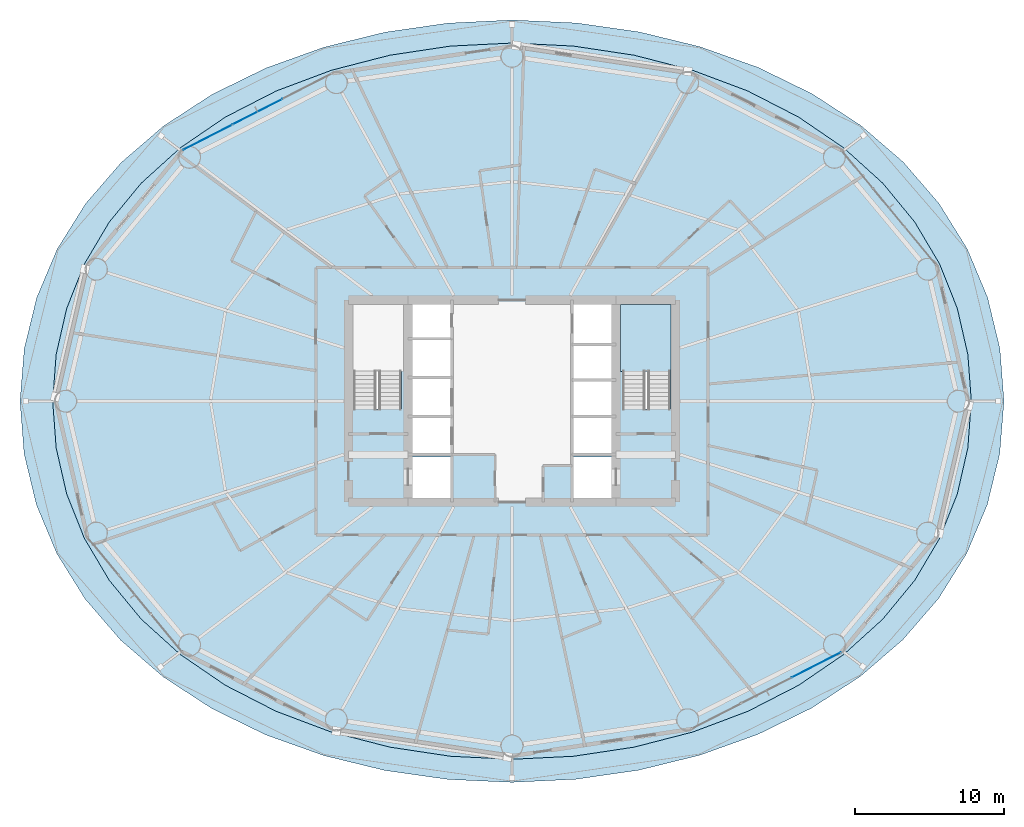
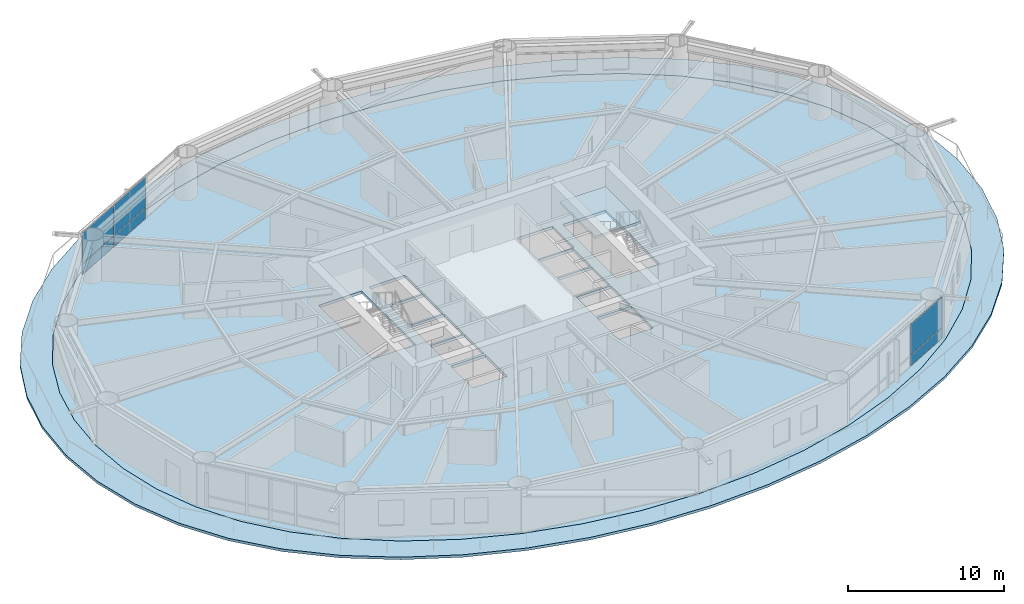
# One storey, part 17 of 26: 6 plates, 3 slabs, 3 elements without a shape of their own.
"""IFC4 building model written with IfcOpenShell, lengths in metres."""

import ifcopenshell
import ifcopenshell.guid

model = None  # the IFC model being written
_history = None  # IfcOwnerHistory: only IFC2X3 demands one
_inside = {}  # id of a spatial element -> (the spatial element, [elements in it])
_under = {}  # id of a project, library or spatial element -> (it, [spatial elements below it])
_declared = {}  # id of a project -> (the project, [libraries it declares])
_typed = {}  # id of a type object -> (the type object, [elements of that type])
_made_of = {}  # id of a material, layer set ... -> (it, [elements and type objects made of it])


def new_model(schema):
    """Start an empty IFC model of exactly this schema.

    Asked for "IFC4X3", IfcOpenShell would pick the latest addendum, in which some entities
    have other attributes; the version numbers below select the first issue.
    IFC2X3 requires an IfcOwnerHistory on every rooted entity: one is made here for all.
    """
    global model, _history
    if schema == "IFC4X3":
        model = ifcopenshell.file(schema_version=(4, 3, 0, 0))
    else:
        model = ifcopenshell.file(schema=schema)
    _inside.clear()
    _under.clear()
    _declared.clear()
    _typed.clear()
    _made_of.clear()
    _history = None
    if model.schema == "IFC2X3":
        org = make("IfcOrganization", Name="unknown")
        user = make(
            "IfcPersonAndOrganization",
            ThePerson=make("IfcPerson", FamilyName="unknown"),
            TheOrganization=org,
        )
        app = make(
            "IfcApplication",
            ApplicationDeveloper=org,
            Version="unknown",
            ApplicationFullName="unknown",
            ApplicationIdentifier="unknown",
        )
        _history = make(
            "IfcOwnerHistory",
            OwningUser=user,
            OwningApplication=app,
            ChangeAction="ADDED",
            CreationDate=0,
        )
    return model


def make(cls, **values):
    """One entity of the class cls with the attributes given. An attribute that is None is left unset."""
    return model.create_entity(
        cls, **{name: value for name, value in values.items() if value is not None}
    )


def rooted(cls, **values):
    """An entity with a GlobalId (a new one), such as an element, a storey or a relation."""
    return make(cls, GlobalId=ifcopenshell.guid.new(), OwnerHistory=_history, **values)


def si_unit(unit_type, name, prefix=None):
    """IfcSIUnit, for example si_unit("LENGTHUNIT", "METRE", prefix="MILLI")."""
    return make("IfcSIUnit", UnitType=unit_type, Prefix=prefix, Name=name)


def assignment(units):
    """IfcUnitAssignment: the units of a project."""
    return None if units is None else make("IfcUnitAssignment", Units=units)


def point(xyz):
    """IfcCartesianPoint."""
    return None if xyz is None else make("IfcCartesianPoint", Coordinates=xyz)


def direction(xyz):
    """IfcDirection."""
    return None if xyz is None else make("IfcDirection", DirectionRatios=xyz)


def frame(location, z_axis=None, x_axis=None):
    """IfcAxis2Placement3D, a coordinate frame: its origin and axes. An axis left out is left unset."""
    return make(
        "IfcAxis2Placement3D",
        Location=point(location),
        Axis=direction(z_axis),
        RefDirection=direction(x_axis),
    )


def frame_2d(location, x_axis=None):
    """IfcAxis2Placement2D, a coordinate frame in the plane: its origin and x axis."""
    return make(
        "IfcAxis2Placement2D", Location=point(location), RefDirection=direction(x_axis)
    )


def origin():
    """The frame at (0, 0, 0) with its axes left unset."""
    return frame((0.0, 0.0, 0.0))


def origin_2d():
    """The frame at (0, 0) in the plane with its x axis left unset."""
    return frame_2d((0.0, 0.0))


def place(relative_to, where):
    """IfcLocalPlacement: puts the frame where relative to a parent placement (None: the world)."""
    return make(
        "IfcLocalPlacement", PlacementRelTo=relative_to, RelativePlacement=where
    )


def context(
    kind, dimensions, precision=None, world=None, true_north=None, identifier=None
):
    """IfcGeometricRepresentationContext, for example the 3D "Model" context."""
    return make(
        "IfcGeometricRepresentationContext",
        ContextIdentifier=identifier,
        ContextType=kind,
        CoordinateSpaceDimension=dimensions,
        Precision=precision,
        WorldCoordinateSystem=world,
        TrueNorth=true_north,
    )


def subcontext(parent, identifier, kind, view, scale=None):
    """IfcGeometricRepresentationSubContext, for example "Body" below "Model"."""
    return make(
        "IfcGeometricRepresentationSubContext",
        ContextIdentifier=identifier,
        ContextType=kind,
        ParentContext=parent,
        TargetScale=scale,
        TargetView=view,
    )


def project(units=None, contexts=None):
    """IfcProject with its units and contexts."""
    return rooted(
        "IfcProject",
        Name="project",
        RepresentationContexts=contexts,
        UnitsInContext=assignment(units),
    )


def spatial(cls, under=None, at=None, **own):
    """A site, building, storey or space (cls), placed at a placement, below another one or the project."""
    s = rooted(cls, ObjectPlacement=at, **own)
    if under is not None:
        _under.setdefault(under.id(), (under, []))[1].append(s)
    return s


def polyline(points):
    """IfcPolyline through the points."""
    return make("IfcPolyline", Points=[point(p) for p in points])


def profile(cls, at=None, kind="AREA", **sizes):
    """A parametric profile (cls). Its sizes go by their IFC names, for example OverallWidth=200.0."""
    return make(cls, ProfileType=kind, Position=at, **sizes)


def rectangle(**sizes):
    """IfcRectangleProfileDef."""
    return profile("IfcRectangleProfileDef", **sizes)


def outline(outer, holes=None, kind="AREA"):
    """IfcArbitraryClosedProfileDef: a profile drawn as a closed curve; with holes, ...WithVoids."""
    if holes is None:
        return make("IfcArbitraryClosedProfileDef", ProfileType=kind, OuterCurve=outer)
    return make(
        "IfcArbitraryProfileDefWithVoids",
        ProfileType=kind,
        OuterCurve=outer,
        InnerCurves=holes,
    )


def extrude(swept, where, along, depth):
    """IfcExtrudedAreaSolid: the profile swept, set in the frame where, extruded along a direction by depth."""
    return make(
        "IfcExtrudedAreaSolid",
        SweptArea=swept,
        Position=where,
        ExtrudedDirection=direction(along),
        Depth=depth,
    )


def shape(context_of_items, identifier, shape_type, items):
    """IfcShapeRepresentation: the items that make up one representation, for example the "Body"."""
    return make(
        "IfcShapeRepresentation",
        ContextOfItems=context_of_items,
        RepresentationIdentifier=identifier,
        RepresentationType=shape_type,
        Items=items,
    )


def material(Name=None, Category=None):
    """IfcMaterial."""
    return make("IfcMaterial", Name=Name, Category=Category)


def layer(
    of_material, thickness, ventilated=None, Name=None, Category=None, Priority=None
):
    """IfcMaterialLayer: one layer of a wall or slab, of a material (None: an air gap)."""
    return make(
        "IfcMaterialLayer",
        Material=of_material,
        LayerThickness=thickness,
        IsVentilated=ventilated,
        Name=Name,
        Category=Category,
        Priority=Priority,
    )


def layer_set(layers, Name=None):
    """IfcMaterialLayerSet."""
    return make("IfcMaterialLayerSet", MaterialLayers=layers, LayerSetName=Name)


def made_of(thing, what):
    """Note that an element or type object is made of a material, layer set ...; save() writes the relation."""
    if what is not None:
        _made_of.setdefault(what.id(), (what, []))[1].append(thing)
    return thing


def type_object(cls, material=None, **own):
    """A type object (cls), such as IfcWallType, which elements share."""
    return made_of(rooted(cls, **own), material)


def element(
    cls,
    number,
    at=None,
    inside=None,
    cuts=None,
    type_object=None,
    material=None,
    context=None,
    identifier="Body",
    shape_type=None,
    held_by="IfcProductDefinitionShape",
    body=None,
    shapes=None,
    **own,
):
    """One element of the class cls, such as IfcWall. Its Tag is "e" and its number.

    at: its placement. inside: the storey or other place that contains it. cuts: it is an
    opening in that element (IfcRelVoidsElement). A single representation is given by context,
    identifier, shape_type and body (its items); several are given by shapes. held_by: the class
    of the entity that holds the representations. save() writes the other relations.
    """
    e = rooted(cls, Tag="e%d" % number, ObjectPlacement=at, **own)
    if body is not None:
        shapes = [shape(context, identifier, shape_type, body)]
    if shapes is not None:
        e.Representation = make(held_by, Representations=shapes)
    if inside is not None:
        _inside.setdefault(inside.id(), (inside, []))[1].append(e)
    if cuts is not None:
        rooted(
            "IfcRelVoidsElement", RelatingBuildingElement=cuts, RelatedOpeningElement=e
        )
    if type_object is not None:
        _typed.setdefault(type_object.id(), (type_object, []))[1].append(e)
    return made_of(e, material)


def aggregate(whole, parts):
    """IfcRelAggregates: a whole, such as a stair, and the parts it consists of."""
    return rooted("IfcRelAggregates", RelatingObject=whole, RelatedObjects=parts)


def save(model, path):
    """Write the relations noted so far, then the file.

    IfcRelAggregates (storeys below a building ...), IfcRelContainedInSpatialStructure (elements
    in a storey), IfcRelDefinesByType, IfcRelAssociatesMaterial and IfcRelDeclares: one each for
    every whole, place, type object, material and project.
    """
    for whole, parts in _under.values():
        aggregate(whole, parts)
    for where, things in _inside.values():
        rooted(
            "IfcRelContainedInSpatialStructure",
            RelatedElements=things,
            RelatingStructure=where,
        )
    for kind, things in _typed.values():
        rooted("IfcRelDefinesByType", RelatedObjects=things, RelatingType=kind)
    for what, things in _made_of.values():
        rooted("IfcRelAssociatesMaterial", RelatedObjects=things, RelatingMaterial=what)
    for by, libraries in _declared.values():
        rooted("IfcRelDeclares", RelatingContext=by, RelatedDefinitions=libraries)
    model.write(path)


model = new_model("IFC4")

# Units and contexts
model_context = context("Model", 3, precision=1e-05, world=origin(), true_north=direction((0.0, 1.0)))
body_context = subcontext(model_context, "Body", "Model", "MODEL_VIEW")
ifc_project = project(units=[si_unit("LENGTHUNIT", "METRE"), si_unit("AREAUNIT", "SQUARE_METRE"), si_unit("VOLUMEUNIT", "CUBIC_METRE"), si_unit("PLANEANGLEUNIT", "RADIAN"), si_unit("MASSUNIT", "GRAM", prefix="KILO")], contexts=[model_context])

# Site, building, storey
site_placement = place(None, origin())
site = spatial("IfcSite", under=ifc_project, at=site_placement, CompositionType="ELEMENT")
building_placement = place(site_placement, origin())
building = spatial("IfcBuilding", under=site, at=building_placement, Name="Sarneth Arch Tower", CompositionType="ELEMENT")
storey_placement = place(building_placement, frame((0.0, 0.0, 35.39990234375)))
storey = spatial("IfcBuildingStorey", under=building, at=storey_placement, Name="L07", CompositionType="ELEMENT", Elevation=35.39990234375)

# Curtain wall, plates
ifc_material_1 = material(Name="Anodised aluminium Type AA25 and solar-control low-e laminated IGU", Category="aluminium")
ifc_layer_1 = layer(ifc_material_1, 0.159912109375)
ifc_layer_set_1 = layer_set([ifc_layer_1], Name="Anodised aluminium Type AA25 and solar-control low-e laminated IGU")
curtain_wall_type = type_object("IfcCurtainWallType", Name="CW-HOTEL-LOW", PredefinedType="NOTDEFINED", material=ifc_layer_set_1)
curtain_wall_1_placement = place(storey_placement, origin())
curtain_wall_1 = element("IfcCurtainWall", 1, at=curtain_wall_1_placement, inside=storey, type_object=curtain_wall_type, Name="L07 Unitised curtain wall facet 06", PredefinedType="NOTDEFINED")
ifc_material_2 = material(Name="Solar-control low-e laminated IGU", Category="glass")
ifc_layer_2 = layer(ifc_material_2, 0.028076171875)
ifc_layer_set_2 = layer_set([ifc_layer_2], Name="Solar-control low-e laminated IGU")
plate_type = type_object("IfcPlateType", Name="CW-PANEL", PredefinedType="CURTAIN_PANEL", material=ifc_layer_set_2)
plate_1_placement = place(storey_placement, frame((30.8740234375, 61.473876953125, 0.06005859375), z_axis=(0.0, 0.0, 1.0), x_axis=(-0.889854100456, -0.456245197127, 0.0)))
plate_1 = element("IfcPlate", 2, at=plate_1_placement, type_object=plate_type, Name="Curtain wall glazed vision pane CW-L07-F06/P01-00", PredefinedType="CURTAIN_PANEL", context=body_context, shape_type="SweptSolid", body=[
    extrude(rectangle(XDim=3.721923828125, YDim=0.028076171875, at=origin_2d()), origin(), (0.0, 0.0, 1.0), 0.81005859375),
])
plate_2_placement = place(storey_placement, frame((30.8740234375, 61.473876953125, 0.93017578125), z_axis=(0.0, 0.0, 1.0), x_axis=(-0.889854100456, -0.456245197127, 0.0)))
plate_2 = element("IfcPlate", 3, at=plate_2_placement, type_object=plate_type, Name="Curtain wall glazed vision pane CW-L07-F06/P01-01", PredefinedType="CURTAIN_PANEL", context=body_context, shape_type="SweptSolid", body=[
    extrude(rectangle(XDim=3.721923828125, YDim=0.028076171875, at=origin_2d()), origin(), (0.0, 0.0, 1.0), 2.389892578125),
])
plate_3_placement = place(storey_placement, frame((27.52197265625, 59.75537109375, 0.06005859375), z_axis=(0.0, 0.0, 1.0), x_axis=(-0.889854100456, -0.456245197127, 0.0)))
plate_3 = element("IfcPlate", 4, at=plate_3_placement, type_object=plate_type, Name="Curtain wall glazed vision pane CW-L07-F06/P02-00", PredefinedType="CURTAIN_PANEL", context=body_context, shape_type="SweptSolid", body=[
    extrude(rectangle(XDim=3.69189453125, YDim=0.028076171875, at=origin_2d()), origin(), (0.0, 0.0, 1.0), 0.81005859375),
])
plate_4_placement = place(storey_placement, frame((27.52197265625, 59.75537109375, 0.93017578125), z_axis=(0.0, 0.0, 1.0), x_axis=(-0.889854100456, -0.456245197127, 0.0)))
plate_4 = element("IfcPlate", 5, at=plate_4_placement, type_object=plate_type, Name="Curtain wall glazed vision pane CW-L07-F06/P02-01", PredefinedType="CURTAIN_PANEL", context=body_context, shape_type="SweptSolid", body=[
    extrude(rectangle(XDim=3.69189453125, YDim=0.028076171875, at=origin_2d()), origin(), (0.0, 0.0, 1.0), 2.389892578125),
])
aggregate(curtain_wall_1, [plate_1, plate_2, plate_3, plate_4])

curtain_wall_2_placement = place(storey_placement, origin())
curtain_wall_2 = element("IfcCurtainWall", 6, at=curtain_wall_2_placement, inside=storey, type_object=curtain_wall_type, Name="L07 Unitised curtain wall facet 14", PredefinedType="NOTDEFINED")
plate_5_placement = place(storey_placement, frame((68.47802734375, 24.24462890625, 0.06005859375), z_axis=(0.0, 0.0, 1.0), x_axis=(0.889854100456, 0.456245197127, 0.0)))
plate_5 = element("IfcPlate", 7, at=plate_5_placement, type_object=plate_type, Name="Curtain wall glazed vision pane CW-L07-F14/P02-00", PredefinedType="CURTAIN_PANEL", context=body_context, shape_type="SweptSolid", body=[
    extrude(rectangle(XDim=3.69189453125, YDim=0.028076171875, at=origin_2d()), origin(), (0.0, 0.0, 1.0), 0.81005859375),
])
plate_6_placement = place(storey_placement, frame((68.47802734375, 24.24462890625, 0.93017578125), z_axis=(0.0, 0.0, 1.0), x_axis=(0.889854100456, 0.456245197127, 0.0)))
plate_6 = element("IfcPlate", 8, at=plate_6_placement, type_object=plate_type, Name="Curtain wall glazed vision pane CW-L07-F14/P02-01", PredefinedType="CURTAIN_PANEL", context=body_context, shape_type="SweptSolid", body=[
    extrude(rectangle(XDim=3.69189453125, YDim=0.028076171875, at=origin_2d()), origin(), (0.0, 0.0, 1.0), 2.389892578125),
])
aggregate(curtain_wall_2, [plate_5, plate_6])

# Slab
ifc_material_3 = material(Name="Concrete C50/60", Category="concrete")
ifc_layer_3 = layer(ifc_material_3, 0.199951171875)
ifc_layer_set_3 = layer_set([ifc_layer_3], Name="Concrete C50/60")
slab_type_1 = type_object("IfcSlabType", Name="SLAB-BALC-200", PredefinedType="FLOOR", material=ifc_layer_set_3)
slab_1_placement = place(storey_placement, frame((0.0, 0.0, -0.199951171875)))
element("IfcSlab", 9, at=slab_1_placement, inside=storey, type_object=slab_type_1, Name="L07 Helical balcony band slab", PredefinedType="FLOOR", context=body_context, shape_type="SweptSolid", body=[
    extrude(outline(polyline([(81.10888671875, 42.0), (80.8349609375, 45.53125), (80.005126953125, 48.975830078125), (78.631591796875, 52.255859375), (76.732421875, 55.308837890625), (74.332763671875, 58.088134765625), (71.4697265625, 60.5576171875), (68.19287109375, 62.6884765625), (64.565673828125, 64.458984375), (60.659423828125, 65.85107421875), (56.548828125, 66.852294921875), (52.306396484375, 67.453857421875), (48.0, 67.65087890625), (43.69482421875, 67.442138671875), (39.45556640625, 66.830078125), (35.35009765625, 65.820556640625), (31.449951171875, 64.4228515625), (27.8291015625, 62.650634765625), (24.5576171875, 60.521240234375), (21.69775390625, 58.056884765625), (19.298828125, 55.284912109375), (17.396484375, 52.240234375), (16.01611328125, 48.96826171875), (15.1767578125, 45.529296875), (14.89111328125, 42.0), (15.1650390625, 38.46875), (15.994873046875, 35.024169921875), (17.368408203125, 31.744140625), (19.267578125, 28.691162109375), (21.667236328125, 25.911865234375), (24.5302734375, 23.4423828125), (27.80712890625, 21.3115234375), (31.434326171875, 19.541015625), (35.340576171875, 18.14892578125), (39.451171875, 17.147705078125), (43.693603515625, 16.546142578125), (48.0, 16.34912109375), (52.30517578125, 16.557861328125), (56.54443359375, 17.169921875), (60.64990234375, 18.179443359375), (64.550048828125, 19.5771484375), (68.1708984375, 21.349365234375), (71.4423828125, 23.478759765625), (74.30224609375, 25.943115234375), (76.701171875, 28.715087890625), (78.603515625, 31.759765625), (79.98388671875, 35.03173828125), (80.8232421875, 38.470703125), (81.10888671875, 42.0)]), holes=[polyline([(78.90966796875, 42.0), (78.675048828125, 45.145751953125), (77.9677734375, 48.237548828125), (76.780029296875, 51.22265625), (75.10595703125, 54.050048828125), (72.94873046875, 56.671142578125), (70.32861328125, 59.041259765625), (67.2841796875, 61.119873046875), (63.8720703125, 62.87109375), (60.162109375, 64.265380859375), (56.2294921875, 65.27880859375), (52.150634765625, 65.893798828125), (48.0, 66.10009765625), (43.849365234375, 65.893798828125), (39.7705078125, 65.27880859375), (35.837890625, 64.265380859375), (32.1279296875, 62.87109375), (28.7158203125, 61.119873046875), (25.67138671875, 59.041259765625), (23.05126953125, 56.671142578125), (20.89404296875, 54.050048828125), (19.219970703125, 51.22265625), (18.0322265625, 48.237548828125), (17.324951171875, 45.145751953125), (17.09033203125, 42.0), (17.324951171875, 38.854248046875), (18.0322265625, 35.762451171875), (19.219970703125, 32.77734375), (20.89404296875, 29.949951171875), (23.05126953125, 27.328857421875), (25.67138671875, 24.958740234375), (28.7158203125, 22.880126953125), (32.1279296875, 21.12890625), (35.837890625, 19.734619140625), (39.7705078125, 18.72119140625), (43.849365234375, 18.106201171875), (48.0, 17.89990234375), (52.150634765625, 18.106201171875), (56.2294921875, 18.72119140625), (60.162109375, 19.734619140625), (63.8720703125, 21.12890625), (67.2841796875, 22.880126953125), (70.32861328125, 24.958740234375), (72.94873046875, 27.328857421875), (75.10595703125, 29.949951171875), (76.780029296875, 32.77734375), (77.9677734375, 35.762451171875), (78.675048828125, 38.854248046875), (78.90966796875, 42.0)])]), origin(), (0.0, 0.0, 1.0), 0.199951171875),
])

# Stair, slab
ifc_material_4 = material(Name="Concrete C50/60", Category="concrete")
stair_type = type_object("IfcStairType", Name="STAIR-CORE-RC", PredefinedType="HALF_TURN_STAIR", material=ifc_material_4)
stair_placement = place(storey_placement, origin())
stair = element("IfcStair", 10, at=stair_placement, inside=storey, type_object=stair_type, Name="L07 Core Exit Stair 2", PredefinedType="HALF_TURN_STAIR")
ifc_material_5 = material(Name="Concrete C50/60", Category="concrete")
ifc_layer_4 = layer(ifc_material_5, 0.199951171875)
ifc_layer_set_4 = layer_set([ifc_layer_4], Name="Concrete C50/60")
slab_type_2 = type_object("IfcSlabType", Name="SLAB-LANDING-200", PredefinedType="LANDING", material=ifc_layer_set_4)
slab_2_placement = place(storey_placement, frame((0.0, 0.0, 1.60009765625)))
slab_2 = element("IfcSlab", 11, at=slab_2_placement, type_object=slab_type_2, Name="ST-2 landing 1", PredefinedType="LANDING", context=body_context, shape_type="SweptSolid", body=[
    extrude(outline(polyline([(55.300048828125, 43.985107421875), (58.699951171875, 43.985107421875), (58.699951171875, 48.5), (55.300048828125, 48.5), (55.300048828125, 43.985107421875)])), origin(), (0.0, 0.0, 1.0), 0.199951171875),
])
aggregate(stair, [slab_2])

# Slab
ifc_material_6 = material(Name="Concrete C50/60", Category="concrete")
ifc_layer_5 = layer(ifc_material_6, 0.219970703125)
ifc_layer_set_5 = layer_set([ifc_layer_5], Name="Concrete C50/60")
slab_type_3 = type_object("IfcSlabType", Name="SLAB-TOWER-220", PredefinedType="FLOOR", material=ifc_layer_set_5)
slab_3_placement = place(storey_placement, frame((0.0, 0.0, -0.219970703125)))
element("IfcSlab", 12, at=slab_3_placement, inside=storey, type_object=slab_type_3, Name="L07 Elliptical floor slab", PredefinedType="FLOOR", context=body_context, shape_type="SweptSolid", body=[
    extrude(outline(polyline([(78.90966796875, 42.0), (78.675048828125, 45.145751953125), (77.9677734375, 48.237548828125), (76.780029296875, 51.22265625), (75.10595703125, 54.050048828125), (72.94873046875, 56.671142578125), (70.32861328125, 59.041259765625), (67.2841796875, 61.119873046875), (63.8720703125, 62.87109375), (60.162109375, 64.265380859375), (56.2294921875, 65.27880859375), (52.150634765625, 65.893798828125), (48.0, 66.10009765625), (43.849365234375, 65.893798828125), (39.7705078125, 65.27880859375), (35.837890625, 64.265380859375), (32.1279296875, 62.87109375), (28.7158203125, 61.119873046875), (25.67138671875, 59.041259765625), (23.05126953125, 56.671142578125), (20.89404296875, 54.050048828125), (19.219970703125, 51.22265625), (18.0322265625, 48.237548828125), (17.324951171875, 45.145751953125), (17.09033203125, 42.0), (17.324951171875, 38.854248046875), (18.0322265625, 35.762451171875), (19.219970703125, 32.77734375), (20.89404296875, 29.949951171875), (23.05126953125, 27.328857421875), (25.67138671875, 24.958740234375), (28.7158203125, 22.880126953125), (32.1279296875, 21.12890625), (35.837890625, 19.734619140625), (39.7705078125, 18.72119140625), (43.849365234375, 18.106201171875), (48.0, 17.89990234375), (52.150634765625, 18.106201171875), (56.2294921875, 18.72119140625), (60.162109375, 19.734619140625), (63.8720703125, 21.12890625), (67.2841796875, 22.880126953125), (70.32861328125, 24.958740234375), (72.94873046875, 27.328857421875), (75.10595703125, 29.949951171875), (76.780029296875, 32.77734375), (77.9677734375, 35.762451171875), (78.675048828125, 38.854248046875), (78.90966796875, 42.0)]), holes=[polyline([(37.35009765625, 41.489990234375), (40.550048828125, 41.489990234375), (40.550048828125, 48.39990234375), (37.35009765625, 48.39990234375), (37.35009765625, 41.489990234375)]), polyline([(55.449951171875, 41.489990234375), (58.64990234375, 41.489990234375), (58.64990234375, 48.39990234375), (55.449951171875, 48.39990234375), (55.449951171875, 41.489990234375)]), polyline([(41.199951171875, 46.25), (43.85009765625, 46.25), (43.85009765625, 48.550048828125), (41.199951171875, 48.550048828125), (41.199951171875, 46.25)]), polyline([(41.300048828125, 35.449951171875), (43.85009765625, 35.449951171875), (43.85009765625, 38.25), (41.300048828125, 38.25), (41.300048828125, 35.449951171875)]), polyline([(52.14990234375, 35.449951171875), (54.699951171875, 35.449951171875), (54.699951171875, 38.25), (52.14990234375, 38.25), (52.14990234375, 35.449951171875)]), polyline([(52.14990234375, 45.85009765625), (54.800048828125, 45.85009765625), (54.800048828125, 48.550048828125), (52.14990234375, 48.550048828125), (52.14990234375, 45.85009765625)]), polyline([(41.300048828125, 38.449951171875), (43.85009765625, 38.449951171875), (43.85009765625, 40.89990234375), (41.300048828125, 40.89990234375), (41.300048828125, 38.449951171875)]), polyline([(41.300048828125, 41.050048828125), (43.85009765625, 41.050048828125), (43.85009765625, 43.5), (41.300048828125, 43.5), (41.300048828125, 41.050048828125)]), polyline([(41.300048828125, 43.64990234375), (43.85009765625, 43.64990234375), (43.85009765625, 46.10009765625), (41.300048828125, 46.10009765625), (41.300048828125, 43.64990234375)]), polyline([(52.14990234375, 38.449951171875), (54.699951171875, 38.449951171875), (54.699951171875, 40.89990234375), (52.14990234375, 40.89990234375), (52.14990234375, 38.449951171875)]), polyline([(52.14990234375, 41.050048828125), (54.699951171875, 41.050048828125), (54.699951171875, 43.35009765625), (52.14990234375, 43.35009765625), (52.14990234375, 41.050048828125)]), polyline([(52.14990234375, 43.5), (54.699951171875, 43.5), (54.699951171875, 45.75), (52.14990234375, 45.75), (52.14990234375, 43.5)])]), origin(), (0.0, 0.0, 1.0), 0.219970703125),
])

save(model, "model.ifc")
